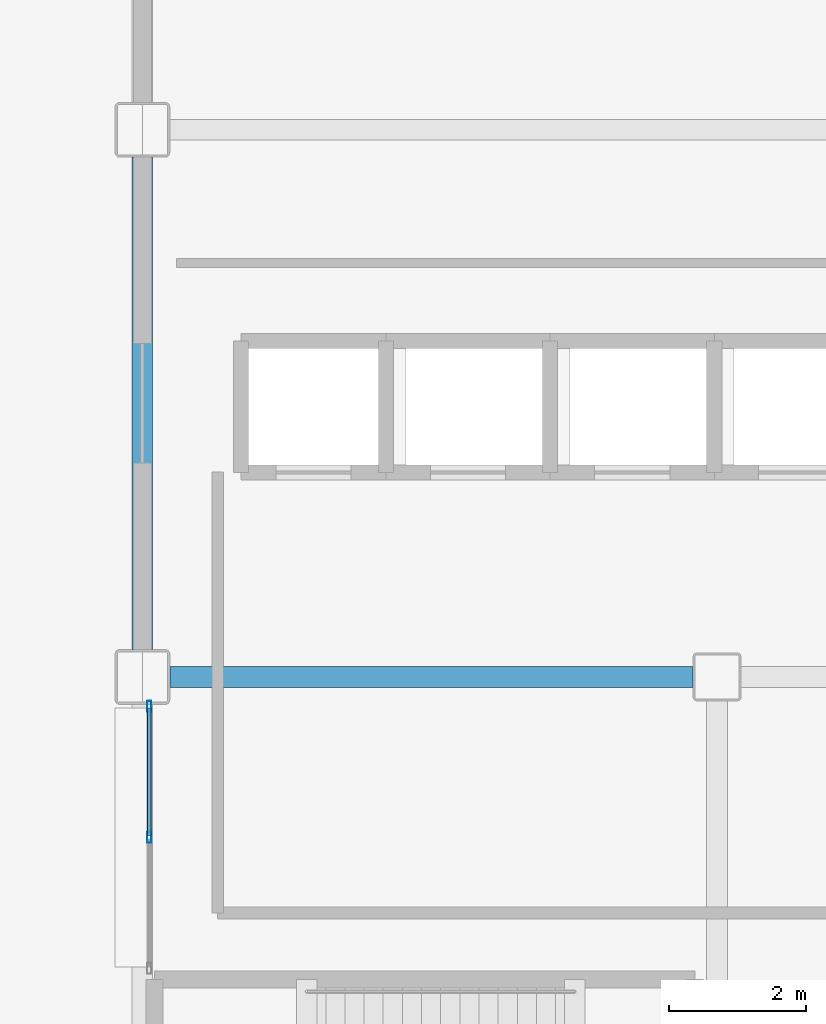
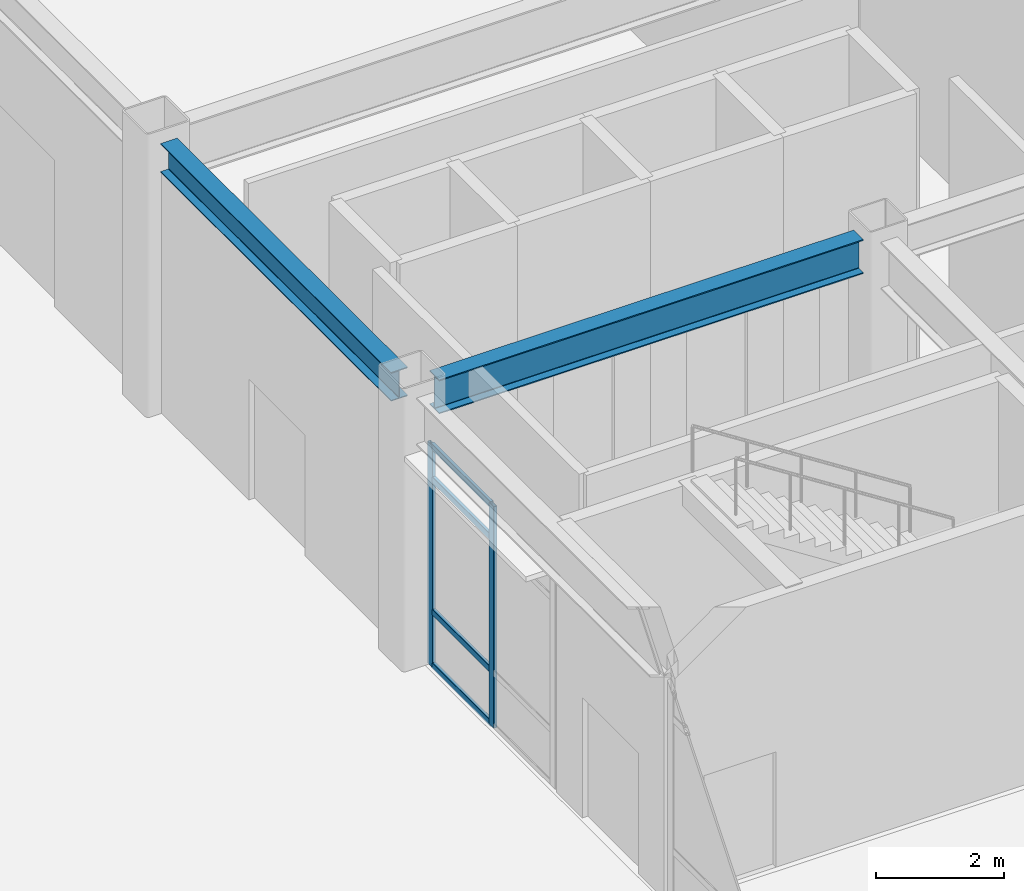
# One storey, part 99 of 165: 6 members, 2 beams, 1 element without a shape of its own.
"""IFC4 building model written with IfcOpenShell, lengths in metres."""

from ifc_helpers import new_model, si_unit, direction, frame, origin, origin_2d, place, context, subcontext, project, spatial, hollow_rectangle, i_section, extrude, material, layer, layer_set, material_profile, profile_set, type_object, element, aggregate, save


model = new_model("IFC4")

# Units and contexts
model_context = context("Model", 3, precision=1e-05, world=origin(), true_north=direction((0.0, 1.0)))
body_context = subcontext(model_context, "Body", "Model", "MODEL_VIEW")
ifc_project = project(units=[si_unit("LENGTHUNIT", "METRE"), si_unit("AREAUNIT", "SQUARE_METRE"), si_unit("VOLUMEUNIT", "CUBIC_METRE"), si_unit("PLANEANGLEUNIT", "RADIAN"), si_unit("MASSUNIT", "GRAM", prefix="KILO")], contexts=[model_context])

# Site, building, storey
site_placement = place(None, origin())
site = spatial("IfcSite", under=ifc_project, at=site_placement, CompositionType="ELEMENT")
building_placement = place(site_placement, origin())
building = spatial("IfcBuilding", under=site, at=building_placement, Name="Kazehara Bluff Congress Hotel", CompositionType="ELEMENT")
storey_placement = place(building_placement, origin())
storey = spatial("IfcBuildingStorey", under=building, at=storey_placement, Name="L00", CompositionType="ELEMENT", Elevation=0.0)

# Curtain wall, members
ifc_material_1 = material(Name="Anodised aluminium", Category="aluminium")
ifc_layer = layer(ifc_material_1, 0.159912109375)
ifc_layer_set = layer_set([ifc_layer], Name="Anodised aluminium")
curtain_wall_type = type_object("IfcCurtainWallType", Name="TP-CW-102", PredefinedType="NOTDEFINED", material=ifc_layer_set)
curtain_wall_placement = place(storey_placement, origin())
curtain_wall = element("IfcCurtainWall", 1, at=curtain_wall_placement, inside=storey, type_object=curtain_wall_type, Name="L00 curtain wall CW-102 CW-ENC-V5-L00-14380-5410", PredefinedType="NOTDEFINED")
ifc_material_2 = material(Name="Anodised aluminium", Category="aluminium")
ifc_material_profile_1 = material_profile(ifc_material_2, hollow_rectangle(XDim=0.06005859375, YDim=0.159912109375, WallThickness=0.00390625, InnerFilletRadius=0.00390625, OuterFilletRadius=0.008056640625, at=origin_2d()))
ifc_profile_set_1 = profile_set([ifc_material_profile_1], Name="Anodised aluminium")
member_type_1 = type_object("IfcMemberType", Name="TP-CWM-01", PredefinedType="MULLION", material=ifc_profile_set_1)
member_1_placement = place(storey_placement, frame((143.800048828125, 54.10498046875, 0.0), z_axis=(0.0, 0.0, 1.0), x_axis=(-1.0, 0.0, 0.0)))
member_1 = element("IfcMember", 2, at=member_1_placement, type_object=member_type_1, Name="CW-102 mullion 2", PredefinedType="MULLION", context=body_context, shape_type="SweptSolid", body=[
    extrude(hollow_rectangle(XDim=0.06005859375, YDim=0.159912109375, WallThickness=0.00390625, InnerFilletRadius=0.00390625, OuterFilletRadius=0.008056640625, at=origin_2d()), origin(), (0.0, 0.0, 1.0), 4.22509765625),
])
member_2_placement = place(storey_placement, frame((143.800048828125, 56.02001953125, 0.0), z_axis=(0.0, 0.0, 1.0), x_axis=(-1.0, 0.0, 0.0)))
member_2 = element("IfcMember", 3, at=member_2_placement, type_object=member_type_1, Name="CW-102 mullion 3", PredefinedType="MULLION", context=body_context, shape_type="SweptSolid", body=[
    extrude(hollow_rectangle(XDim=0.06005859375, YDim=0.159912109375, WallThickness=0.00390625, InnerFilletRadius=0.00390625, OuterFilletRadius=0.008056640625, at=origin_2d()), origin(), (0.0, 0.0, 1.0), 4.22509765625),
])
ifc_material_3 = material(Name="Anodised aluminium", Category="aluminium")
ifc_material_profile_2 = material_profile(ifc_material_3, hollow_rectangle(XDim=0.06005859375, YDim=0.1201171875, WallThickness=0.00390625, InnerFilletRadius=0.00390625, OuterFilletRadius=0.008056640625, at=origin_2d()))
ifc_profile_set_2 = profile_set([ifc_material_profile_2], Name="Anodised aluminium")
member_type_2 = type_object("IfcMemberType", Name="TP-CWT-01", PredefinedType="USERDEFINED", material=ifc_profile_set_2)
member_3_placement = place(storey_placement, frame((143.800048828125, 54.135009765625, 0.030029296875), z_axis=(0.0, 1.0, 0.0), x_axis=(-1.0, 0.0, 0.0)))
member_3 = element("IfcMember", 4, at=member_3_placement, type_object=member_type_2, Name="CW-102 transom 2.1", ObjectType="TRANSOM", PredefinedType="USERDEFINED", context=body_context, shape_type="SweptSolid", body=[
    extrude(hollow_rectangle(XDim=0.06005859375, YDim=0.1201171875, WallThickness=0.00390625, InnerFilletRadius=0.00390625, OuterFilletRadius=0.008056640625, at=origin_2d()), origin(), (0.0, 0.0, 1.0), 1.85498046875),
])
member_4_placement = place(storey_placement, frame((143.800048828125, 54.135009765625, 1.050048828125), z_axis=(0.0, 1.0, 0.0), x_axis=(-1.0, 0.0, 0.0)))
member_4 = element("IfcMember", 5, at=member_4_placement, type_object=member_type_2, Name="CW-102 transom 2.2", ObjectType="TRANSOM", PredefinedType="USERDEFINED", context=body_context, shape_type="SweptSolid", body=[
    extrude(hollow_rectangle(XDim=0.06005859375, YDim=0.1201171875, WallThickness=0.00390625, InnerFilletRadius=0.00390625, OuterFilletRadius=0.008056640625, at=origin_2d()), origin(), (0.0, 0.0, 1.0), 1.85498046875),
])
member_5_placement = place(storey_placement, frame((143.800048828125, 54.135009765625, 3.574951171875), z_axis=(0.0, 1.0, 0.0), x_axis=(-1.0, 0.0, 0.0)))
member_5 = element("IfcMember", 6, at=member_5_placement, type_object=member_type_2, Name="CW-102 transom 2.3", ObjectType="TRANSOM", PredefinedType="USERDEFINED", context=body_context, shape_type="SweptSolid", body=[
    extrude(hollow_rectangle(XDim=0.06005859375, YDim=0.1201171875, WallThickness=0.00390625, InnerFilletRadius=0.00390625, OuterFilletRadius=0.008056640625, at=origin_2d()), origin(), (0.0, 0.0, 1.0), 1.85498046875),
])
member_6_placement = place(storey_placement, frame((143.800048828125, 54.135009765625, 4.195068359375), z_axis=(0.0, 1.0, 0.0), x_axis=(-1.0, 0.0, 0.0)))
member_6 = element("IfcMember", 7, at=member_6_placement, type_object=member_type_2, Name="CW-102 transom 2.4", ObjectType="TRANSOM", PredefinedType="USERDEFINED", context=body_context, shape_type="SweptSolid", body=[
    extrude(hollow_rectangle(XDim=0.06005859375, YDim=0.1201171875, WallThickness=0.00390625, InnerFilletRadius=0.00390625, OuterFilletRadius=0.008056640625, at=origin_2d()), origin(), (0.0, 0.0, 1.0), 1.85498046875),
])
aggregate(curtain_wall, [member_1, member_2, member_3, member_4, member_5, member_6])

# Beams
ifc_material_4 = material(Name="Steel SN490B", Category="steel")
ifc_material_profile_3 = material_profile(ifc_material_4, i_section(OverallWidth=0.300048828125, OverallDepth=0.64990234375, WebThickness=0.011962890625, FlangeThickness=0.02001953125, FilletRadius=0.012939453125, at=origin_2d()))
ifc_profile_set_3 = profile_set([ifc_material_profile_3], Name="Steel SN490B")
beam_type_1 = type_object("IfcBeamType", Name="TP-G-03", PredefinedType="BEAM", material=ifc_profile_set_3)
beam_1_placement = place(storey_placement, frame((144.10009765625, 56.449951171875, 4.824951171875), z_axis=(1.0, 0.0, 0.0), x_axis=(0.0, 1.0, 0.0)))
element("IfcBeam", 8, at=beam_1_placement, inside=storey, type_object=beam_type_1, Name="L00 girder G-03 300", PredefinedType="BEAM", context=body_context, shape_type="SweptSolid", body=[
    extrude(i_section(OverallWidth=0.300048828125, OverallDepth=0.64990234375, WebThickness=0.011962890625, FlangeThickness=0.02001953125, FilletRadius=0.012939453125, at=origin_2d()), origin(), (0.0, 0.0, 1.0), 7.64990234375),
])
ifc_material_5 = material(Name="Steel SN490B", Category="steel")
ifc_material_profile_4 = material_profile(ifc_material_5, i_section(OverallWidth=0.300048828125, OverallDepth=0.550048828125, WebThickness=0.010986328125, FlangeThickness=0.01806640625, FilletRadius=0.012939453125, at=origin_2d()))
ifc_profile_set_4 = profile_set([ifc_material_profile_4], Name="Steel SN490B")
beam_type_2 = type_object("IfcBeamType", Name="TP-SP-01", PredefinedType="SPANDREL", material=ifc_profile_set_4)
beam_2_placement = place(storey_placement, frame((143.699951171875, 56.85009765625, 4.875), z_axis=(0.0, 1.0, 0.0), x_axis=(-1.0, 0.0, 0.0)))
element("IfcBeam", 9, at=beam_2_placement, inside=storey, type_object=beam_type_2, Name="L00 girder SP-01 235", PredefinedType="SPANDREL", context=body_context, shape_type="SweptSolid", body=[
    extrude(i_section(OverallWidth=0.300048828125, OverallDepth=0.550048828125, WebThickness=0.010986328125, FlangeThickness=0.01806640625, FilletRadius=0.012939453125, at=origin_2d()), origin(), (0.0, 0.0, 1.0), 7.199951171875),
])

save(model, "model.ifc")
